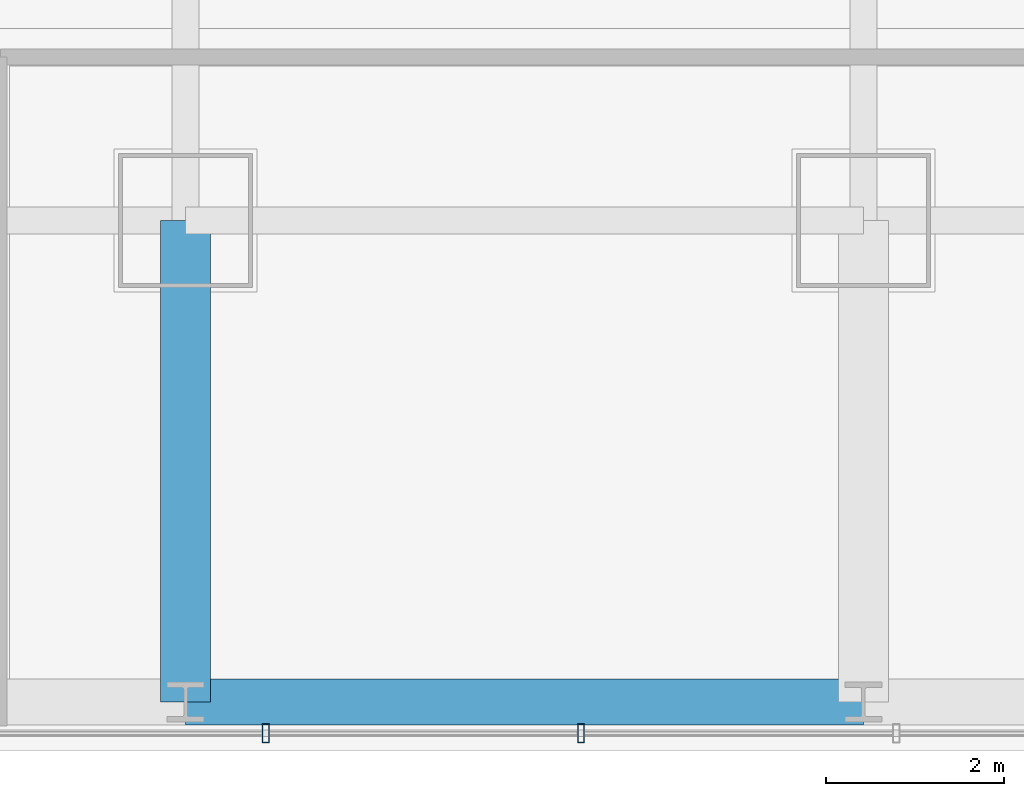
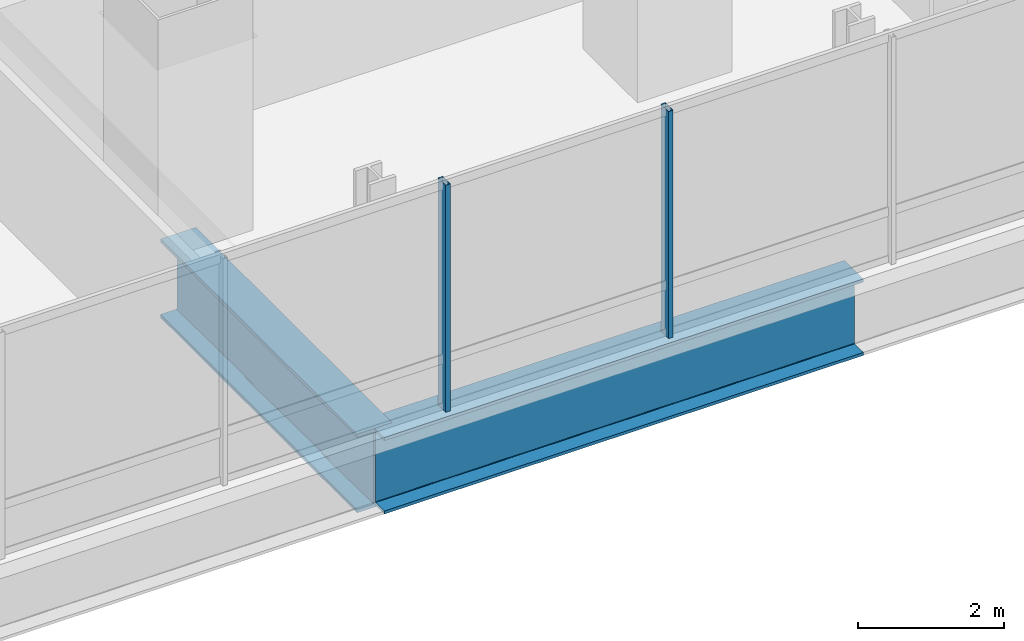
# One storey, part 4 of 34: 2 beams, 2 members, 1 element without a shape of its own.
"""IFC4 building model written with IfcOpenShell, lengths in metres."""

from ifc_helpers import new_model, si_unit, direction, frame, origin, origin_2d, place, context, subcontext, project, spatial, hollow_rectangle, i_section, extrude, material, material_profile, profile_set, type_object, element, aggregate, save


model = new_model("IFC4")

# Units and contexts
model_context = context("Model", 3, precision=1e-05, world=origin(), true_north=direction((0.0, 1.0)))
body_context = subcontext(model_context, "Body", "Model", "MODEL_VIEW")
ifc_project = project(units=[si_unit("LENGTHUNIT", "METRE"), si_unit("AREAUNIT", "SQUARE_METRE"), si_unit("VOLUMEUNIT", "CUBIC_METRE"), si_unit("PLANEANGLEUNIT", "RADIAN"), si_unit("MASSUNIT", "GRAM", prefix="KILO")], contexts=[model_context])

# Site, building, storey
site_placement = place(None, origin())
site = spatial("IfcSite", under=ifc_project, at=site_placement, CompositionType="ELEMENT")
building_placement = place(site_placement, origin())
building = spatial("IfcBuilding", under=site, at=building_placement, Name="Punatoya Terracotta Tower", CompositionType="ELEMENT")
storey_placement = place(building_placement, frame((0.0, 0.0, 84.89990234375)))
storey = spatial("IfcBuildingStorey", under=building, at=storey_placement, Name="L19", CompositionType="ELEMENT", Elevation=84.89990234375)

# Beams
ifc_material_1 = material(Name="Steel S460", Category="steel")
ifc_material_profile_1 = material_profile(ifc_material_1, i_section(OverallWidth=0.56005859375, OverallDepth=1.320068359375, WebThickness=0.035888671875, FlangeThickness=0.054931640625, FilletRadius=0.01806640625, at=origin_2d()))
ifc_profile_set_1 = profile_set([ifc_material_profile_1], Name="Steel S460")
beam_type_1 = type_object("IfcBeamType", Name="BM-TG-BLK", PredefinedType="BEAM", material=ifc_profile_set_1)
beam_1_placement = place(storey_placement, frame((-3.800048828125, -22.89990234375, -0.89990234375), z_axis=(0.0, 1.0, 0.0), x_axis=(-1.0, 0.0, 0.0)))
element("IfcBeam", 1, at=beam_1_placement, inside=storey, type_object=beam_type_1, Name="BM-L19-CANT-S2", PredefinedType="BEAM", context=body_context, shape_type="SweptSolid", body=[
    extrude(i_section(OverallWidth=0.56005859375, OverallDepth=1.320068359375, WebThickness=0.035888671875, FlangeThickness=0.054931640625, FilletRadius=0.01806640625, at=origin_2d()), origin(), (0.0, 0.0, 1.0), 5.39990234375),
])
ifc_material_profile_2 = material_profile(ifc_material_1, i_section(OverallWidth=0.52001953125, OverallDepth=1.280029296875, WebThickness=0.031982421875, FlangeThickness=0.050048828125, FilletRadius=0.01806640625, at=origin_2d()))
ifc_profile_set_2 = profile_set([ifc_material_profile_2], Name="Steel S460")
beam_type_2 = type_object("IfcBeamType", Name="BM-TG-NCK", PredefinedType="BEAM", material=ifc_profile_set_2)
beam_2_placement = place(storey_placement, frame((-3.800048828125, -22.89990234375, -0.8798828125), z_axis=(1.0, 0.0, 0.0), x_axis=(0.0, 1.0, 0.0)))
element("IfcBeam", 2, at=beam_2_placement, inside=storey, type_object=beam_type_2, Name="BM-L19-PER-S2", PredefinedType="BEAM", context=body_context, shape_type="SweptSolid", body=[
    extrude(i_section(OverallWidth=0.52001953125, OverallDepth=1.280029296875, WebThickness=0.031982421875, FlangeThickness=0.050048828125, FilletRadius=0.01806640625, at=origin_2d()), origin(), (0.0, 0.0, 1.0), 7.60009765625),
])

# Curtain wall, members
ifc_material_2 = material(Name="Aluminium 6063-T6 + Double Low-E Glass", Category="aluminium")
curtain_wall_type = type_object("IfcCurtainWallType", Name="CW-M1", PredefinedType="NOTDEFINED", material=ifc_material_2)
curtain_wall_placement = place(storey_placement, origin())
curtain_wall = element("IfcCurtainWall", 3, at=curtain_wall_placement, inside=storey, type_object=curtain_wall_type, Name="L19 Curtain Wall CW-L19-S01-1", PredefinedType="NOTDEFINED")
ifc_material_3 = material(Name="Aluminium 6063-T6", Category="aluminium")
ifc_material_profile_3 = material_profile(ifc_material_3, hollow_rectangle(XDim=0.074951171875, YDim=0.2099609375, WallThickness=0.00439453125, at=origin_2d()))
ifc_profile_set_3 = profile_set([ifc_material_profile_3], Name="Aluminium 6063-T6")
member_type = type_object("IfcMemberType", Name="CW-MUL-M1", PredefinedType="MULLION", material=ifc_profile_set_3)
member_1_placement = place(storey_placement, frame((-2.90087890625, -23.25, 0.0), z_axis=(0.0, 0.0, 1.0), x_axis=(1.0, 0.0, 0.0)))
member_1 = element("IfcMember", 4, at=member_1_placement, type_object=member_type, Name="CW-L19-S01-1 Mullion 04", PredefinedType="MULLION", context=body_context, shape_type="SweptSolid", body=[
    extrude(hollow_rectangle(XDim=0.074951171875, YDim=0.2099609375, WallThickness=0.00439453125, at=origin_2d()), origin(), (0.0, 0.0, 1.0), 3.81005859375),
])
member_2_placement = place(storey_placement, frame((0.633056640625, -23.25, 0.0), z_axis=(0.0, 0.0, 1.0), x_axis=(1.0, 0.0, 0.0)))
member_2 = element("IfcMember", 5, at=member_2_placement, type_object=member_type, Name="CW-L19-S01-1 Mullion 05", PredefinedType="MULLION", context=body_context, shape_type="SweptSolid", body=[
    extrude(hollow_rectangle(XDim=0.074951171875, YDim=0.2099609375, WallThickness=0.00439453125, at=origin_2d()), origin(), (0.0, 0.0, 1.0), 3.81005859375),
])
aggregate(curtain_wall, [member_1, member_2])

save(model, "model.ifc")
